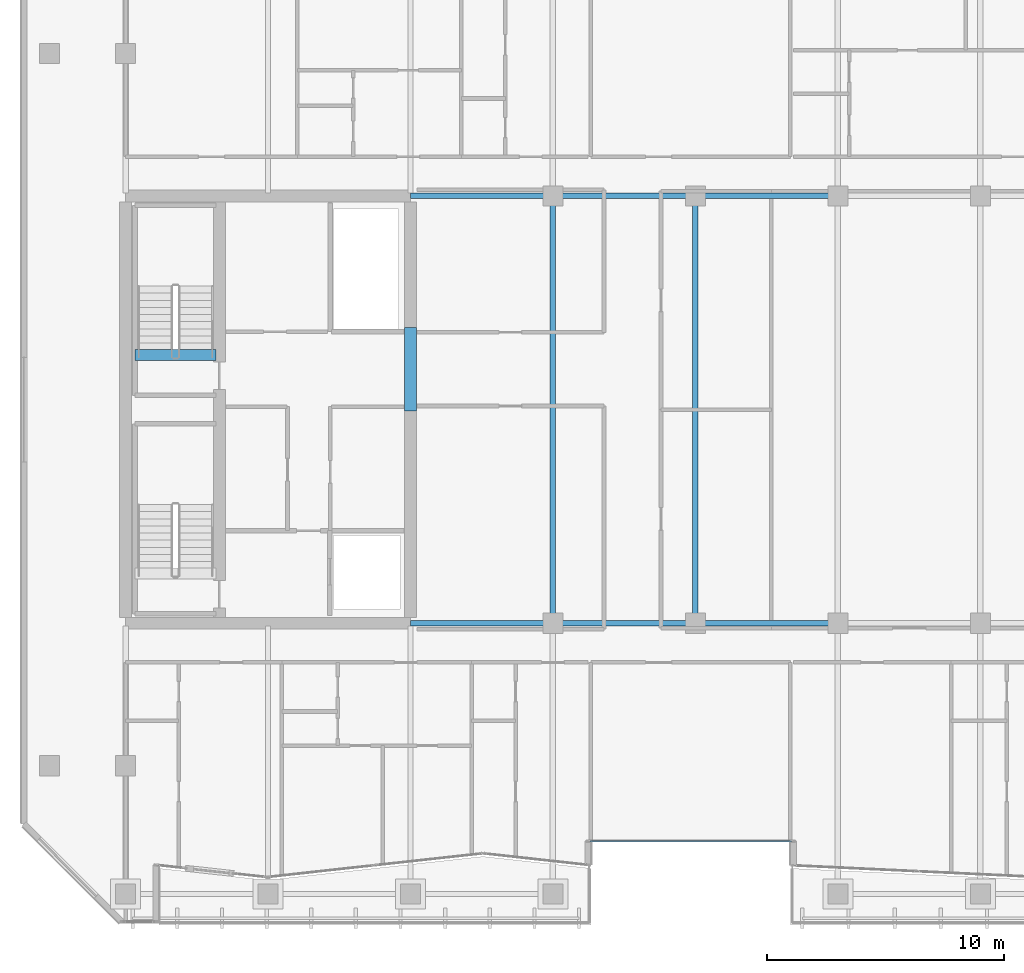
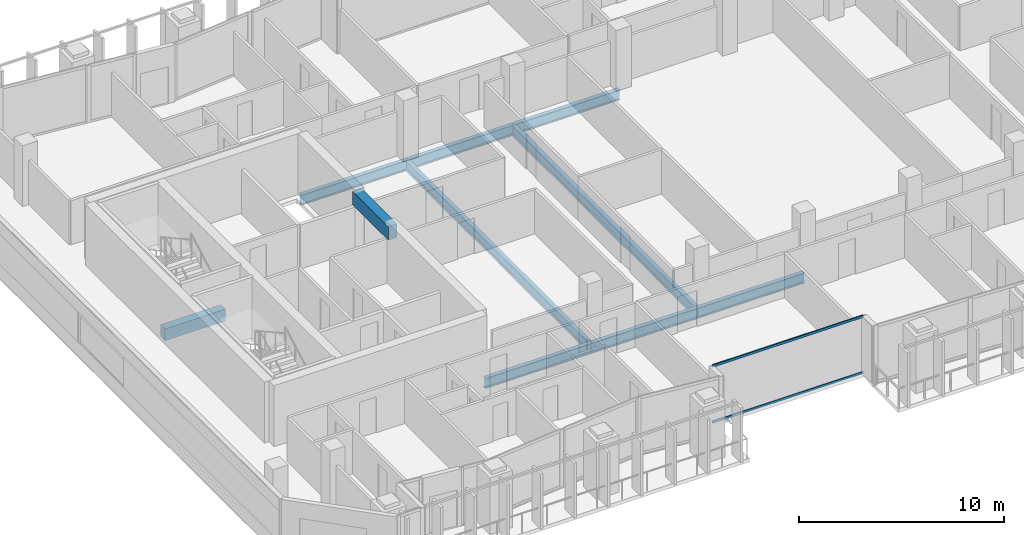
# One storey, part 4 of 28: 10 beams, 2 members, 1 element without a shape of its own.
"""IFC4 building model written with IfcOpenShell, lengths in metres."""

from ifc_helpers import new_model, si_unit, direction, frame, origin, origin_2d, place, context, subcontext, project, spatial, rectangle, hollow_rectangle, i_section, extrude, material, layer, layer_set, material_profile, profile_set, type_object, element, aggregate, save


model = new_model("IFC4")

# Units and contexts
model_context = context("Model", 3, precision=1e-05, world=origin(), true_north=direction((0.0, 1.0)))
body_context = subcontext(model_context, "Body", "Model", "MODEL_VIEW")
ifc_project = project(units=[si_unit("LENGTHUNIT", "METRE"), si_unit("AREAUNIT", "SQUARE_METRE"), si_unit("VOLUMEUNIT", "CUBIC_METRE"), si_unit("PLANEANGLEUNIT", "RADIAN"), si_unit("MASSUNIT", "GRAM", prefix="KILO")], contexts=[model_context])

# Site, building, storey
site_placement = place(None, origin())
site = spatial("IfcSite", under=ifc_project, at=site_placement, CompositionType="ELEMENT")
building_placement = place(site_placement, origin())
building = spatial("IfcBuilding", under=site, at=building_placement, Name="Tanjung Sevakor Pilgrim Tower", CompositionType="ELEMENT")
storey_placement = place(building_placement, frame((0.0, 0.0, 158.39990234375)))
storey = spatial("IfcBuildingStorey", under=building, at=storey_placement, Name="L44", CompositionType="ELEMENT", Elevation=158.39990234375)

# Beams
ifc_material_1 = material(Name="Steel S355J2", Category="steel")
ifc_material_profile_1 = material_profile(ifc_material_1, i_section(OverallWidth=0.230224609375, OverallDepth=0.6171875, WebThickness=0.01318359375, FlangeThickness=0.022216796875, FilletRadius=0.0126953125, at=origin_2d()))
ifc_profile_set_1 = profile_set([ifc_material_profile_1], Name="Steel S355J2")
beam_type_1 = type_object("IfcBeamType", Name="BM-B-G3-UB_610x229x140", PredefinedType="BEAM", material=ifc_profile_set_1)
for number, where, z_axis, x_axis, name in (
    (1, (36.0, 24.60009765625, -0.528564453125), (1.0, 0.0, 0.0), (0.0, 1.0, 0.0), "L44 Primary Floor Girder MAIN Y246-01"),
    (2, (42.0, 24.60009765625, -0.528564453125), (1.0, 0.0, 0.0), (0.0, 1.0, 0.0), "L44 Primary Floor Girder MAIN Y246-02"),
    (3, (48.0, 24.60009765625, -0.528564453125), (1.0, 0.0, 0.0), (0.0, 1.0, 0.0), "L44 Primary Floor Girder MAIN Y246-03"),
    (4, (36.0, 42.60009765625, -0.528564453125), (1.0, 0.0, 0.0), (0.0, 1.0, 0.0), "L44 Primary Floor Girder MAIN Y426-01"),
    (5, (42.0, 42.60009765625, -0.528564453125), (1.0, 0.0, 0.0), (0.0, 1.0, 0.0), "L44 Primary Floor Girder MAIN Y426-02"),
    (6, (48.0, 42.60009765625, -0.528564453125), (1.0, 0.0, 0.0), (0.0, 1.0, 0.0), "L44 Primary Floor Girder MAIN Y426-03"),
):
    element("IfcBeam", number, at=place(storey_placement, frame(where, z_axis=z_axis, x_axis=x_axis)), inside=storey, type_object=beam_type_1, Name=name, PredefinedType="BEAM", context=body_context, shape_type="SweptSolid", body=[
        extrude(i_section(OverallWidth=0.230224609375, OverallDepth=0.6171875, WebThickness=0.01318359375, FlangeThickness=0.022216796875, FilletRadius=0.0126953125, at=origin_2d()), origin(), (0.0, 0.0, 1.0), 6.0),
    ])
ifc_material_2 = material(Name="Steel S355J2", Category="steel")
ifc_material_profile_2 = material_profile(ifc_material_2, i_section(OverallWidth=0.22900390625, OverallDepth=0.6123046875, WebThickness=0.011962890625, FlangeThickness=0.01953125, FilletRadius=0.0126953125, at=origin_2d()))
ifc_profile_set_2 = profile_set([ifc_material_profile_2], Name="Steel S355J2")
beam_type_2 = type_object("IfcBeamType", Name="BM-B-G4-UB_610x229x125", PredefinedType="BEAM", material=ifc_profile_set_2)
for number, where, z_axis, x_axis, name in (
    (7, (42.0, 24.60009765625, -0.526123046875), (0.0, 1.0, 0.0), (-1.0, 0.0, 0.0), "L44 MAIN Girder 008"),
    (8, (48.0, 24.60009765625, -0.526123046875), (0.0, 1.0, 0.0), (-1.0, 0.0, 0.0), "L44 MAIN Girder 010"),
):
    element("IfcBeam", number, at=place(storey_placement, frame(where, z_axis=z_axis, x_axis=x_axis)), inside=storey, type_object=beam_type_2, Name=name, PredefinedType="BEAM", context=body_context, shape_type="SweptSolid", body=[
        extrude(i_section(OverallWidth=0.22900390625, OverallDepth=0.6123046875, WebThickness=0.011962890625, FlangeThickness=0.01953125, FilletRadius=0.0126953125, at=origin_2d()), origin(), (0.0, 0.0, 1.0), 18.0),
    ])
ifc_material_3 = material(Name="Concrete C60/75", Category="concrete")
ifc_material_profile_3 = material_profile(ifc_material_3, rectangle(XDim=0.5, YDim=0.800048828125, at=origin_2d()))
ifc_profile_set_3 = profile_set([ifc_material_profile_3], Name="Concrete C60/75")
beam_type_3 = type_object("IfcBeamType", Name="BM-B-LN2-RC-BM_500x800", PredefinedType="LINTEL", material=ifc_profile_set_3)
beam_1_placement = place(storey_placement, frame((36.0, 33.550048828125, 3.010009765625), z_axis=(0.0, 1.0, 0.0), x_axis=(-1.0, 0.0, 0.0)))
element("IfcBeam", 9, at=beam_1_placement, inside=storey, type_object=beam_type_3, Name="L44 W Core Coupling Lintel", PredefinedType="LINTEL", context=body_context, shape_type="SweptSolid", body=[
    extrude(rectangle(XDim=0.5, YDim=0.800048828125, at=origin_2d()), origin(), (0.0, 0.0, 1.0), 3.5),
])
ifc_material_4 = material(Name="Concrete C60/75", Category="concrete")
ifc_material_profile_4 = material_profile(ifc_material_4, rectangle(XDim=0.449951171875, YDim=0.699951171875, at=origin_2d()))
ifc_profile_set_4 = profile_set([ifc_material_profile_4], Name="Concrete C60/75")
beam_type_4 = type_object("IfcBeamType", Name="BM-B-LN3-RC-BM_450x700", PredefinedType="LINTEL", material=ifc_profile_set_4)
beam_2_placement = place(storey_placement, frame((24.39990234375, 35.89990234375, -0.349853515625), z_axis=(1.0, 0.0, 0.0), x_axis=(0.0, 1.0, 0.0)))
element("IfcBeam", 10, at=beam_2_placement, inside=storey, type_object=beam_type_4, Name="L44 TS-W2 Stair Threshold Beam", PredefinedType="LINTEL", context=body_context, shape_type="SweptSolid", body=[
    extrude(rectangle(XDim=0.449951171875, YDim=0.699951171875, at=origin_2d()), origin(), (0.0, 0.0, 1.0), 3.400146484375),
])

# Curtain wall, members
ifc_material_5 = material(Name="Aluminium 6063-T6 and Low-E Glass", Category="aluminium")
ifc_layer = layer(ifc_material_5, 0.179931640625)
ifc_layer_set = layer_set([ifc_layer], Name="CW-SYS-CLEFT")
curtain_wall_type = type_object("IfcCurtainWallType", Name="CW-SYS-CLEFT", PredefinedType="NOTDEFINED", material=ifc_layer_set)
curtain_wall_placement = place(storey_placement, origin())
curtain_wall = element("IfcCurtainWall", 11, at=curtain_wall_placement, inside=storey, type_object=curtain_wall_type, Name="L44 Curtain Wall CW-CLF-L44-7", PredefinedType="NOTDEFINED")
ifc_material_6 = material(Name="Aluminium 6063-T6", Category="aluminium")
ifc_material_profile_5 = material_profile(ifc_material_6, hollow_rectangle(XDim=0.06494140625, YDim=0.139892578125, WallThickness=0.00390625, at=origin_2d()))
ifc_profile_set_5 = profile_set([ifc_material_profile_5], Name="Aluminium 6063-T6")
member_type = type_object("IfcMemberType", Name="TYPE-CWT-1", PredefinedType="USERDEFINED", material=ifc_profile_set_5)
member_1_placement = place(storey_placement, frame((43.550048828125, 15.425048828125, 0.03271484375), z_axis=(1.0, 0.0, 0.0), x_axis=(0.0, 1.0, 0.0)))
member_1 = element("IfcMember", 12, at=member_1_placement, type_object=member_type, Name="CW-CLF transom 1.1", ObjectType="TRANSOM", PredefinedType="USERDEFINED", context=body_context, shape_type="SweptSolid", body=[
    extrude(hollow_rectangle(XDim=0.06494140625, YDim=0.139892578125, WallThickness=0.00390625, at=origin_2d()), origin(), (0.0, 0.0, 1.0), 8.5),
])
member_2_placement = place(storey_placement, frame((43.550048828125, 15.425048828125, 3.377685546875), z_axis=(1.0, 0.0, 0.0), x_axis=(0.0, 1.0, 0.0)))
member_2 = element("IfcMember", 13, at=member_2_placement, type_object=member_type, Name="CW-CLF transom 1.2", ObjectType="TRANSOM", PredefinedType="USERDEFINED", context=body_context, shape_type="SweptSolid", body=[
    extrude(hollow_rectangle(XDim=0.06494140625, YDim=0.139892578125, WallThickness=0.00390625, at=origin_2d()), origin(), (0.0, 0.0, 1.0), 8.5),
])
aggregate(curtain_wall, [member_1, member_2])

save(model, "model.ifc")
